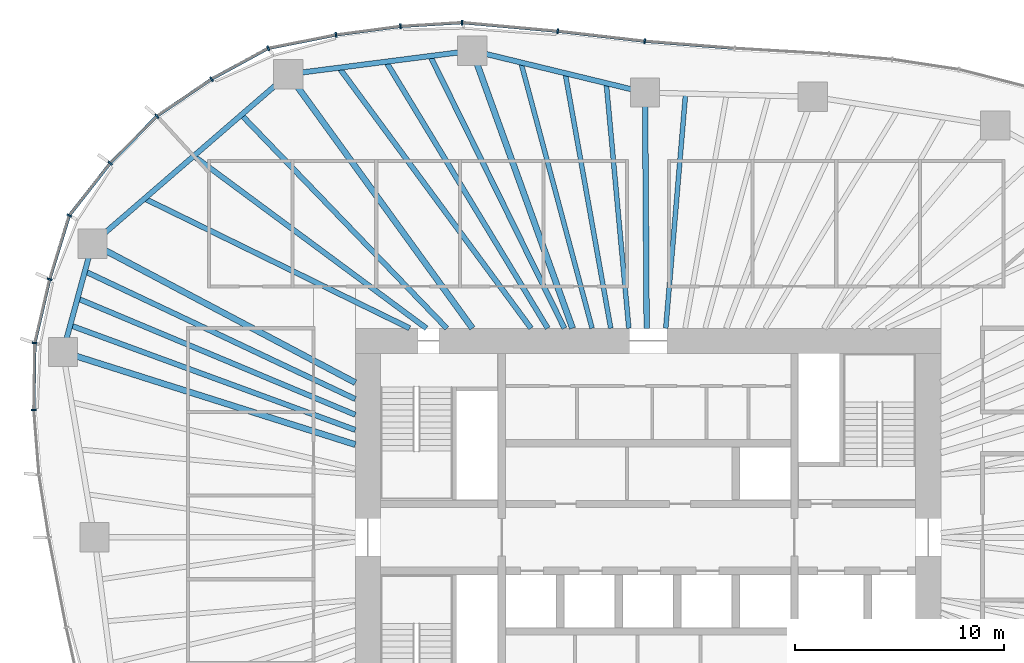
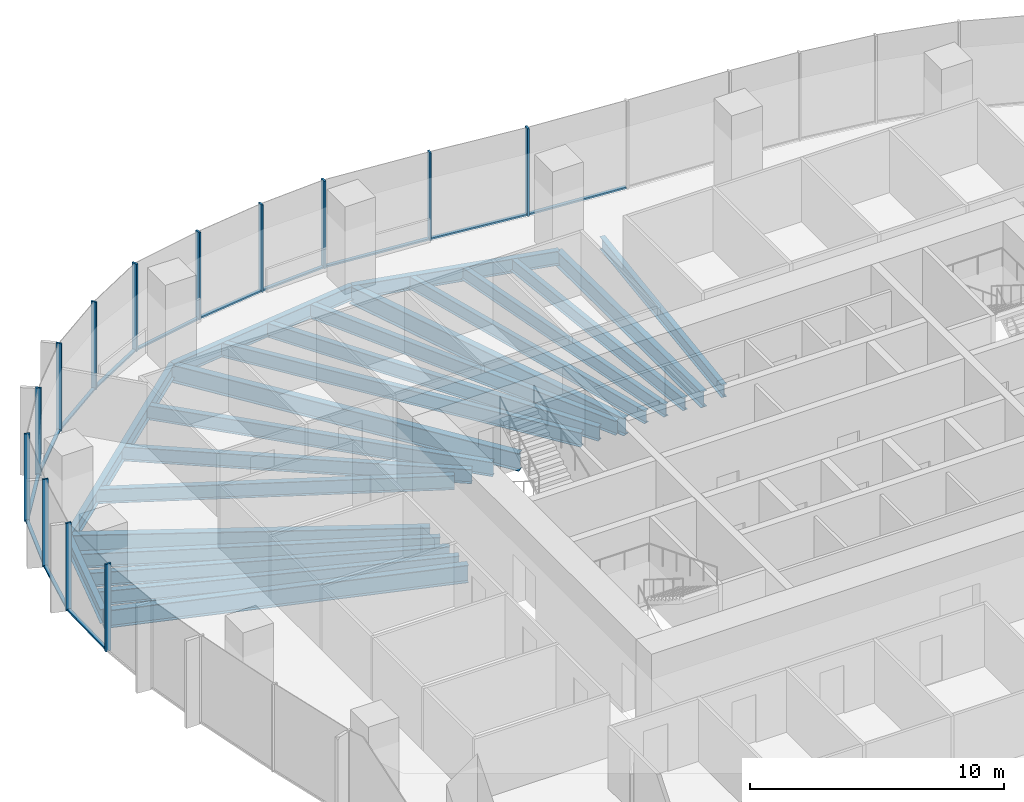
# One storey, part 5 of 18: 26 members, 22 beams, 6 elements without a shape of their own.
"""IFC4 building model written with IfcOpenShell, lengths in metres."""

from ifc_helpers import new_model, si_unit, direction, frame, origin, origin_2d, place, context, subcontext, project, spatial, rectangle, i_section, extrude, material, material_profile, profile_set, type_object, element, aggregate, save


model = new_model("IFC4")

# Units and contexts
model_context = context("Model", 3, precision=1e-05, world=origin(), true_north=direction((0.0, 1.0)))
body_context = subcontext(model_context, "Body", "Model", "MODEL_VIEW")
ifc_project = project(units=[si_unit("LENGTHUNIT", "METRE"), si_unit("AREAUNIT", "SQUARE_METRE"), si_unit("VOLUMEUNIT", "CUBIC_METRE"), si_unit("PLANEANGLEUNIT", "RADIAN"), si_unit("MASSUNIT", "GRAM", prefix="KILO")], contexts=[model_context])

# Site, building, storey
site_placement = place(None, origin())
site = spatial("IfcSite", under=ifc_project, at=site_placement, CompositionType="ELEMENT")
building_placement = place(site_placement, origin())
building = spatial("IfcBuilding", under=site, at=building_placement, Name="Ghaith Harvest Tower", CompositionType="ELEMENT")
storey_placement = place(building_placement, frame((0.0, 0.0, 168.0)))
storey = spatial("IfcBuildingStorey", under=building, at=storey_placement, Name="L36", CompositionType="ELEMENT", Elevation=168.0)

# Curtain wall, members
ifc_material_1 = material(Name="Black anodised aluminium and fritted glass", Category="aluminium")
curtain_wall_type = type_object("IfcCurtainWallType", Name="CW-L CURTAIN WALL", PredefinedType="NOTDEFINED", material=ifc_material_1)
curtain_wall_1_placement = place(storey_placement, origin())
curtain_wall_1 = element("IfcCurtainWall", 1, at=curtain_wall_1_placement, inside=storey, type_object=curtain_wall_type, Name="Curtain wall CW-L bay 06 L36", PredefinedType="NOTDEFINED")
ifc_material_2 = material(Name="Aluminium, black anodised", Category="aluminium")
ifc_material_profile_1 = material_profile(ifc_material_2, rectangle(XDim=0.080078125, YDim=0.239990234375, at=origin_2d()), Name="CW-L MULLION 80x240")
ifc_profile_set_1 = profile_set([ifc_material_profile_1], Name="Aluminium, black anodised")
member_type_1 = type_object("IfcMemberType", Name="CW-L MULLION 80x240", PredefinedType="MULLION", material=ifc_profile_set_1)
member_1_placement = place(storey_placement, frame((-0.162353515625, 23.729736328125, 0.0), z_axis=(0.0, 0.0, 1.0), x_axis=(-0.995388088953, 0.095929934691, 0.0)))
member_1 = element("IfcMember", 2, at=member_1_placement, type_object=member_type_1, Name="CW-L mullion 1 bay 06 L36", PredefinedType="MULLION", context=body_context, shape_type="SweptSolid", body=[
    extrude(rectangle(XDim=0.080078125, YDim=0.239990234375, at=origin_2d()), origin(), (0.0, 0.0, 1.0), 4.199951171875),
])
member_2_placement = place(storey_placement, frame((-4.322998046875, 24.207275390625, 0.0), z_axis=(0.0, 0.0, 1.0), x_axis=(-0.994830371571, 0.101550636625, 0.0)))
member_2 = element("IfcMember", 3, at=member_2_placement, type_object=member_type_1, Name="CW-L mullion 2 bay 06 L36", PredefinedType="MULLION", context=body_context, shape_type="SweptSolid", body=[
    extrude(rectangle(XDim=0.080078125, YDim=0.239990234375, at=origin_2d()), origin(), (0.0, 0.0, 1.0), 4.199951171875),
])

curtain_wall_2_placement = place(storey_placement, origin())
curtain_wall_2 = element("IfcCurtainWall", 4, at=curtain_wall_2_placement, inside=storey, type_object=curtain_wall_type, Name="Curtain wall CW-L bay 07 L36", PredefinedType="NOTDEFINED")
member_3_placement = place(storey_placement, frame((-8.892578125, 24.620849609375, 0.0), z_axis=(0.0, 0.0, 1.0), x_axis=(-0.999522209385, 0.030908784286, 0.0)))
member_3 = element("IfcMember", 5, at=member_3_placement, type_object=member_type_1, Name="CW-L mullion 1 bay 07 L36", PredefinedType="MULLION", context=body_context, shape_type="SweptSolid", body=[
    extrude(rectangle(XDim=0.080078125, YDim=0.239990234375, at=origin_2d()), origin(), (0.0, 0.0, 1.0), 4.199951171875),
])
member_4_placement = place(storey_placement, frame((-11.841064453125, 24.439697265625, 0.0), z_axis=(0.0, 0.0, 1.0), x_axis=(-0.995237520168, -0.097479630949, 0.0)))
member_4 = element("IfcMember", 6, at=member_4_placement, type_object=member_type_1, Name="CW-L mullion 2 bay 07 L36", PredefinedType="MULLION", context=body_context, shape_type="SweptSolid", body=[
    extrude(rectangle(XDim=0.080078125, YDim=0.239990234375, at=origin_2d()), origin(), (0.0, 0.0, 1.0), 4.199951171875),
])
member_5_placement = place(storey_placement, frame((-14.923828125, 24.030029296875, 0.0), z_axis=(0.0, 0.0, 1.0), x_axis=(-0.986494514812, -0.163794298578, 0.0)))
member_5 = element("IfcMember", 7, at=member_5_placement, type_object=member_type_1, Name="CW-L mullion 3 bay 07 L36", PredefinedType="MULLION", context=body_context, shape_type="SweptSolid", body=[
    extrude(rectangle(XDim=0.080078125, YDim=0.239990234375, at=origin_2d()), origin(), (0.0, 0.0, 1.0), 4.199951171875),
])

curtain_wall_3_placement = place(storey_placement, origin())
curtain_wall_3 = element("IfcCurtainWall", 8, at=curtain_wall_3_placement, inside=storey, type_object=curtain_wall_type, Name="Curtain wall CW-L bay 08 L36", PredefinedType="NOTDEFINED")
member_6_placement = place(storey_placement, frame((-18.165283203125, 23.3896484375, 0.0), z_axis=(0.0, 0.0, 1.0), x_axis=(-0.942103541202, -0.335322110298, 0.0)))
member_6 = element("IfcMember", 9, at=member_6_placement, type_object=member_type_1, Name="CW-L mullion 1 bay 08 L36", PredefinedType="MULLION", context=body_context, shape_type="SweptSolid", body=[
    extrude(rectangle(XDim=0.080078125, YDim=0.239990234375, at=origin_2d()), origin(), (0.0, 0.0, 1.0), 4.199951171875),
])
member_7_placement = place(storey_placement, frame((-20.87548828125, 21.91162109375, 0.0), z_axis=(0.0, 0.0, 1.0), x_axis=(-0.853515864435, -0.521066856707, 0.0)))
member_7 = element("IfcMember", 10, at=member_7_placement, type_object=member_type_1, Name="CW-L mullion 2 bay 08 L36", PredefinedType="MULLION", context=body_context, shape_type="SweptSolid", body=[
    extrude(rectangle(XDim=0.080078125, YDim=0.239990234375, at=origin_2d()), origin(), (0.0, 0.0, 1.0), 4.199951171875),
])
member_8_placement = place(storey_placement, frame((-23.489501953125, 20.13916015625, 0.0), z_axis=(0.0, 0.0, 1.0), x_axis=(-0.769682554376, -0.638426789451, 0.0)))
member_8 = element("IfcMember", 11, at=member_8_placement, type_object=member_type_1, Name="CW-L mullion 3 bay 08 L36", PredefinedType="MULLION", context=body_context, shape_type="SweptSolid", body=[
    extrude(rectangle(XDim=0.080078125, YDim=0.239990234375, at=origin_2d()), origin(), (0.0, 0.0, 1.0), 4.199951171875),
])

curtain_wall_4_placement = place(storey_placement, origin())
curtain_wall_4 = element("IfcCurtainWall", 12, at=curtain_wall_4_placement, inside=storey, type_object=curtain_wall_type, Name="Curtain wall CW-L bay 09 L36", PredefinedType="NOTDEFINED")
member_9_placement = place(storey_placement, frame((-25.718017578125, 17.894775390625, 0.0), z_axis=(0.0, 0.0, 1.0), x_axis=(-0.661903840688, -0.749588757708, 0.0)))
member_9 = element("IfcMember", 13, at=member_9_placement, type_object=member_type_1, Name="CW-L mullion 1 bay 09 L36", PredefinedType="MULLION", context=body_context, shape_type="SweptSolid", body=[
    extrude(rectangle(XDim=0.080078125, YDim=0.239990234375, at=origin_2d()), origin(), (0.0, 0.0, 1.0), 4.199951171875),
])
member_10_placement = place(storey_placement, frame((-27.67919921875, 15.39453125, 0.0), z_axis=(0.0, 0.0, 1.0), x_axis=(-0.462889784298, -0.886415843491, 0.0)))
member_10 = element("IfcMember", 14, at=member_10_placement, type_object=member_type_1, Name="CW-L mullion 2 bay 09 L36", PredefinedType="MULLION", context=body_context, shape_type="SweptSolid", body=[
    extrude(rectangle(XDim=0.080078125, YDim=0.239990234375, at=origin_2d()), origin(), (0.0, 0.0, 1.0), 4.199951171875),
])
member_11_placement = place(storey_placement, frame((-28.61669921875, 12.343994140625, 0.0), z_axis=(0.0, 0.0, 1.0), x_axis=(-0.260727312416, -0.965412486226, 0.0)))
member_11 = element("IfcMember", 15, at=member_11_placement, type_object=member_type_1, Name="CW-L mullion 3 bay 09 L36", PredefinedType="MULLION", context=body_context, shape_type="SweptSolid", body=[
    extrude(rectangle(XDim=0.080078125, YDim=0.239990234375, at=origin_2d()), origin(), (0.0, 0.0, 1.0), 4.199951171875),
])

curtain_wall_5_placement = place(storey_placement, origin())
curtain_wall_5 = element("IfcCurtainWall", 16, at=curtain_wall_5_placement, inside=storey, type_object=curtain_wall_type, Name="Curtain wall CW-L bay 10 L36", PredefinedType="NOTDEFINED")
member_12_placement = place(storey_placement, frame((-29.32666015625, 9.294189453125, 0.0), z_axis=(0.0, 0.0, 1.0), x_axis=(-0.120932140225, -0.99266077663, 0.0)))
member_12 = element("IfcMember", 17, at=member_12_placement, type_object=member_type_1, Name="CW-L mullion 1 bay 10 L36", PredefinedType="MULLION", context=body_context, shape_type="SweptSolid", body=[
    extrude(rectangle(XDim=0.080078125, YDim=0.239990234375, at=origin_2d()), origin(), (0.0, 0.0, 1.0), 4.199951171875),
])
member_13_placement = place(storey_placement, frame((-29.3779296875, 6.09619140625, 0.0), z_axis=(0.0, 0.0, 1.0), x_axis=(0.031027769448, -0.999518522851, 0.0)))
member_13 = element("IfcMember", 18, at=member_13_placement, type_object=member_type_1, Name="CW-L mullion 2 bay 10 L36", PredefinedType="MULLION", context=body_context, shape_type="SweptSolid", body=[
    extrude(rectangle(XDim=0.080078125, YDim=0.239990234375, at=origin_2d()), origin(), (0.0, 0.0, 1.0), 4.199951171875),
])

# Curtain wall, member
curtain_wall_6_placement = place(storey_placement, origin())
curtain_wall_6 = element("IfcCurtainWall", 19, at=curtain_wall_6_placement, inside=storey, type_object=curtain_wall_type, Name="Curtain wall CW-L bay 05 L36", PredefinedType="NOTDEFINED")
ifc_material_3 = material(Name="Aluminium, black anodised", Category="aluminium")
ifc_material_profile_2 = material_profile(ifc_material_3, rectangle(XDim=0.14990234375, YDim=0.080078125, at=origin_2d()), Name="CW-L TRANSOM 150x80")
ifc_profile_set_2 = profile_set([ifc_material_profile_2], Name="Aluminium, black anodised")
member_type_2 = type_object("IfcMemberType", Name="CW-L TRANSOM 150x80", PredefinedType="USERDEFINED", material=ifc_profile_set_2)
member_14_placement = place(storey_placement, frame((4.106689453125, 23.39404296875, 0.0400390625), z_axis=(-0.996923406046, 0.078381901463, 0.0), x_axis=(-0.078381901463, -0.996923406046, 0.0)))
member_14 = element("IfcMember", 20, at=member_14_placement, type_object=member_type_2, Name="CW-L transom 2 bay 05 L36", ObjectType="TRANSOM", PredefinedType="USERDEFINED", context=body_context, shape_type="SweptSolid", body=[
    extrude(rectangle(XDim=0.14990234375, YDim=0.080078125, at=origin_2d()), origin(), (0.0, 0.0, 1.0), 4.2421875),
])
aggregate(curtain_wall_6, [member_14])

# Member
member_15_placement = place(storey_placement, frame((-0.2021484375, 23.734130859375, 0.0400390625), z_axis=(-0.993474883942, 0.114051106861, 0.0), x_axis=(-0.114051106861, -0.993474883942, 0.0)))
member_15 = element("IfcMember", 21, at=member_15_placement, type_object=member_type_2, Name="CW-L transom 1 bay 06 L36", ObjectType="TRANSOM", PredefinedType="USERDEFINED", context=body_context, shape_type="SweptSolid", body=[
    extrude(rectangle(XDim=0.14990234375, YDim=0.080078125, at=origin_2d()), origin(), (0.0, 0.0, 1.0), 4.10791015625),
])

member_16_placement = place(storey_placement, frame((-4.36279296875, 24.210693359375, 0.0400390625), z_axis=(-0.995926431676, 0.090169521954, 0.0), x_axis=(-0.090169521954, -0.995926431676, 0.0)))
member_16 = element("IfcMember", 22, at=member_16_placement, type_object=member_type_2, Name="CW-L transom 2 bay 06 L36", ObjectType="TRANSOM", PredefinedType="USERDEFINED", context=body_context, shape_type="SweptSolid", body=[
    extrude(rectangle(XDim=0.14990234375, YDim=0.080078125, at=origin_2d()), origin(), (0.0, 0.0, 1.0), 4.508056640625),
])

aggregate(curtain_wall_1, [member_1, member_15, member_2, member_16])

member_17_placement = place(storey_placement, frame((-8.932373046875, 24.618408203125, 0.0400390625), z_axis=(-0.998117793577, -0.061325933705, 0.0), x_axis=(0.061325933705, -0.998117793577, 0.0)))
member_17 = element("IfcMember", 23, at=member_17_placement, type_object=member_type_2, Name="CW-L transom 1 bay 07 L36", ObjectType="TRANSOM", PredefinedType="USERDEFINED", context=body_context, shape_type="SweptSolid", body=[
    extrude(rectangle(XDim=0.14990234375, YDim=0.080078125, at=origin_2d()), origin(), (0.0, 0.0, 1.0), 2.874267578125),
])

member_18_placement = place(storey_placement, frame((-11.880859375, 24.434326171875, 0.0400390625), z_axis=(-0.991293929443, -0.131667556553, 0.0), x_axis=(0.131667556553, -0.991293929443, 0.0)))
member_18 = element("IfcMember", 24, at=member_18_placement, type_object=member_type_2, Name="CW-L transom 2 bay 07 L36", ObjectType="TRANSOM", PredefinedType="USERDEFINED", context=body_context, shape_type="SweptSolid", body=[
    extrude(rectangle(XDim=0.14990234375, YDim=0.080078125, at=origin_2d()), origin(), (0.0, 0.0, 1.0), 3.02978515625),
])

member_19_placement = place(storey_placement, frame((-14.963134765625, 24.022216796875, 0.0400390625), z_axis=(-0.98104391994, -0.19378551842, 0.0), x_axis=(0.19378551842, -0.98104391994, 0.0)))
member_19 = element("IfcMember", 25, at=member_19_placement, type_object=member_type_2, Name="CW-L transom 3 bay 07 L36", ObjectType="TRANSOM", PredefinedType="USERDEFINED", context=body_context, shape_type="SweptSolid", body=[
    extrude(rectangle(XDim=0.14990234375, YDim=0.080078125, at=origin_2d()), origin(), (0.0, 0.0, 1.0), 3.223876953125),
])

aggregate(curtain_wall_2, [member_3, member_17, member_4, member_18, member_5, member_19])

member_20_placement = place(storey_placement, frame((-18.200439453125, 23.37060546875, 0.0400390625), z_axis=(-0.877929702377, -0.478789554695, 0.0), x_axis=(0.478789554695, -0.877929702377, 0.0)))
member_20 = element("IfcMember", 26, at=member_20_placement, type_object=member_type_2, Name="CW-L transom 1 bay 08 L36", ObjectType="TRANSOM", PredefinedType="USERDEFINED", context=body_context, shape_type="SweptSolid", body=[
    extrude(rectangle(XDim=0.14990234375, YDim=0.080078125, at=origin_2d()), origin(), (0.0, 0.0, 1.0), 3.0068359375),
])

member_21_placement = place(storey_placement, frame((-20.908447265625, 21.88916015625, 0.0400390625), z_axis=(-0.827681025079, -0.561198824593, 0.0), x_axis=(0.561198824593, -0.827681025079, 0.0)))
member_21 = element("IfcMember", 27, at=member_21_placement, type_object=member_type_2, Name="CW-L transom 2 bay 08 L36", ObjectType="TRANSOM", PredefinedType="USERDEFINED", context=body_context, shape_type="SweptSolid", body=[
    extrude(rectangle(XDim=0.14990234375, YDim=0.080078125, at=origin_2d()), origin(), (0.0, 0.0, 1.0), 3.078369140625),
])

member_22_placement = place(storey_placement, frame((-23.517578125, 20.11083984375, 0.0400390625), z_axis=(-0.704647577514, -0.709557461735, 0.0), x_axis=(0.709557461735, -0.704647577514, 0.0)))
member_22 = element("IfcMember", 28, at=member_22_placement, type_object=member_type_2, Name="CW-L transom 3 bay 08 L36", ObjectType="TRANSOM", PredefinedType="USERDEFINED", context=body_context, shape_type="SweptSolid", body=[
    extrude(rectangle(XDim=0.14990234375, YDim=0.080078125, at=origin_2d()), origin(), (0.0, 0.0, 1.0), 3.0830078125),
])

aggregate(curtain_wall_3, [member_6, member_20, member_7, member_21, member_8, member_22])

member_23_placement = place(storey_placement, frame((-25.74267578125, 17.86328125, 0.0400390625), z_axis=(-0.617198298797, -0.786807638474, 0.0), x_axis=(0.786807638474, -0.617198298797, 0.0)))
member_23 = element("IfcMember", 29, at=member_23_placement, type_object=member_type_2, Name="CW-L transom 1 bay 09 L36", ObjectType="TRANSOM", PredefinedType="USERDEFINED", context=body_context, shape_type="SweptSolid", body=[
    extrude(rectangle(XDim=0.14990234375, YDim=0.080078125, at=origin_2d()), origin(), (0.0, 0.0, 1.0), 3.09765625),
])

member_24_placement = place(storey_placement, frame((-27.69091796875, 15.356201171875, 0.0400390625), z_axis=(-0.293777058804, -0.955873966441, 0.0), x_axis=(0.955873966441, -0.293777058804, 0.0)))
member_24 = element("IfcMember", 30, at=member_24_placement, type_object=member_type_2, Name="CW-L transom 2 bay 09 L36", ObjectType="TRANSOM", PredefinedType="USERDEFINED", context=body_context, shape_type="SweptSolid", body=[
    extrude(rectangle(XDim=0.14990234375, YDim=0.080078125, at=origin_2d()), origin(), (0.0, 0.0, 1.0), 3.111328125),
])

member_25_placement = place(storey_placement, frame((-28.6259765625, 12.304931640625, 0.0400390625), z_axis=(-0.226670598607, -0.973971477882, 0.0), x_axis=(0.973971477882, -0.226670598607, 0.0)))
member_25 = element("IfcMember", 31, at=member_25_placement, type_object=member_type_2, Name="CW-L transom 3 bay 09 L36", ObjectType="TRANSOM", PredefinedType="USERDEFINED", context=body_context, shape_type="SweptSolid", body=[
    extrude(rectangle(XDim=0.14990234375, YDim=0.080078125, at=origin_2d()), origin(), (0.0, 0.0, 1.0), 3.05126953125),
])

aggregate(curtain_wall_4, [member_9, member_23, member_10, member_24, member_11, member_25])

member_26_placement = place(storey_placement, frame((-29.327392578125, 9.254150390625, 0.0400390625), z_axis=(-0.015971652868, -0.999872445017, 0.0), x_axis=(0.999872445017, -0.015971652868, 0.0)))
member_26 = element("IfcMember", 32, at=member_26_placement, type_object=member_type_2, Name="CW-L transom 1 bay 10 L36", ObjectType="TRANSOM", PredefinedType="USERDEFINED", context=body_context, shape_type="SweptSolid", body=[
    extrude(rectangle(XDim=0.14990234375, YDim=0.080078125, at=origin_2d()), origin(), (0.0, 0.0, 1.0), 3.118408203125),
])

aggregate(curtain_wall_5, [member_12, member_26, member_13])

# Beams
ifc_material_4 = material(Name="Steel ASTM A992 Grade 50", Category="steel")
ifc_material_profile_3 = material_profile(ifc_material_4, i_section(OverallWidth=0.25390625, OverallDepth=0.68408203125, WebThickness=0.012451171875, FlangeThickness=0.018798828125, at=origin_2d()), Name="W690X140")
ifc_profile_set_3 = profile_set([ifc_material_profile_3], Name="Steel ASTM A992 Grade 50")
beam_type_1 = type_object("IfcBeamType", Name="E690-140 W690X140", PredefinedType="SPANDREL", material=ifc_profile_set_3)
beam_1_placement = place(storey_placement, frame((-0.14599609375, 21.27099609375, -0.511962890625), z_axis=(-0.971790293477, 0.235846614358, 0.0), x_axis=(-0.235846614358, -0.971790293477, 0.0)))
element("IfcBeam", 33, at=beam_1_placement, inside=storey, type_object=beam_type_1, Name="Edge beam E06 L36", PredefinedType="SPANDREL", context=body_context, shape_type="SweptSolid", body=[
    extrude(i_section(OverallWidth=0.25390625, OverallDepth=0.68408203125, WebThickness=0.012451171875, FlangeThickness=0.018798828125, at=origin_2d()), origin(), (0.0, 0.0, 1.0), 8.500732421875),
])
beam_2_placement = place(storey_placement, frame((-8.406982421875, 23.27587890625, -0.511962890625), z_axis=(-0.991904090065, -0.126989275577, 0.0), x_axis=(0.126989275577, -0.991904090065, 0.0)))
element("IfcBeam", 34, at=beam_2_placement, inside=storey, type_object=beam_type_1, Name="Edge beam E07 L36", PredefinedType="SPANDREL", context=body_context, shape_type="SweptSolid", body=[
    extrude(i_section(OverallWidth=0.25390625, OverallDepth=0.68408203125, WebThickness=0.012451171875, FlangeThickness=0.018798828125, at=origin_2d()), origin(), (0.0, 0.0, 1.0), 8.86669921875),
])
beam_3_placement = place(storey_placement, frame((-17.201904296875, 22.14990234375, -0.511962890625), z_axis=(-0.756392158274, -0.654118416574, 0.0), x_axis=(0.654118416574, -0.756392158274, 0.0)))
element("IfcBeam", 35, at=beam_3_placement, inside=storey, type_object=beam_type_1, Name="Edge beam E08 L36", PredefinedType="SPANDREL", context=body_context, shape_type="SweptSolid", body=[
    extrude(i_section(OverallWidth=0.25390625, OverallDepth=0.68408203125, WebThickness=0.012451171875, FlangeThickness=0.018798828125, at=origin_2d()), origin(), (0.0, 0.0, 1.0), 12.38916015625),
])
beam_4_placement = place(storey_placement, frame((-26.572998046875, 14.0458984375, -0.511962890625), z_axis=(-0.262724740433, -0.964870825947, 0.0), x_axis=(0.964870825947, -0.262724740433, 0.0)))
element("IfcBeam", 36, at=beam_4_placement, inside=storey, type_object=beam_type_1, Name="Edge beam E09 L36", PredefinedType="SPANDREL", context=body_context, shape_type="SweptSolid", body=[
    extrude(i_section(OverallWidth=0.25390625, OverallDepth=0.68408203125, WebThickness=0.012451171875, FlangeThickness=0.018798828125, at=origin_2d()), origin(), (0.0, 0.0, 1.0), 5.366455078125),
])
ifc_material_5 = material(Name="Steel ASTM A992 Grade 50", Category="steel")
ifc_material_profile_4 = material_profile(ifc_material_5, i_section(OverallWidth=0.26806640625, OverallDepth=0.77001953125, WebThickness=0.015625, FlangeThickness=0.025390625, at=origin_2d()), Name="W760X196")
ifc_profile_set_4 = profile_set([ifc_material_profile_4], Name="Steel ASTM A992 Grade 50")
beam_type_2 = type_object("IfcBeamType", Name="G760-196 W760X196", PredefinedType="BEAM", material=ifc_profile_set_4)
beam_5_placement = place(storey_placement, frame((-0.068359375, 10.0, -0.554931640625), z_axis=(-0.006888022705, 0.99997627729, 0.0), x_axis=(-0.99997627729, -0.006888022705, 0.0)))
element("IfcBeam", 37, at=beam_5_placement, inside=storey, type_object=beam_type_2, Name="Radial girder G06 L36", PredefinedType="BEAM", context=body_context, shape_type="SweptSolid", body=[
    extrude(i_section(OverallWidth=0.26806640625, OverallDepth=0.77001953125, WebThickness=0.015625, FlangeThickness=0.025390625, at=origin_2d()), origin(), (0.0, 0.0, 1.0), 11.271240234375),
])
ifc_material_6 = material(Name="Steel ASTM A992 Grade 50", Category="steel")
ifc_material_profile_5 = material_profile(ifc_material_6, i_section(OverallWidth=0.2939453125, OverallDepth=0.85107421875, WebThickness=0.01611328125, FlangeThickness=0.02685546875, at=origin_2d()), Name="W840X226")
ifc_profile_set_5 = profile_set([ifc_material_profile_5], Name="Steel ASTM A992 Grade 50")
beam_type_3 = type_object("IfcBeamType", Name="G840-226 W840X226", PredefinedType="BEAM", material=ifc_profile_set_5)
beam_6_placement = place(storey_placement, frame((-3.61181640625, 10.0, -0.595458984375), z_axis=(-0.339713316819, 0.940529033245, 0.0), x_axis=(-0.940529033245, -0.339713316819, 0.0)))
element("IfcBeam", 38, at=beam_6_placement, inside=storey, type_object=beam_type_3, Name="Radial girder G07 L36", PredefinedType="BEAM", context=body_context, shape_type="SweptSolid", body=[
    extrude(i_section(OverallWidth=0.2939453125, OverallDepth=0.85107421875, WebThickness=0.01611328125, FlangeThickness=0.02685546875, at=origin_2d()), origin(), (0.0, 0.0, 1.0), 14.115234375),
])
beam_7_placement = place(storey_placement, frame((-8.39990234375, 10.0, -0.595458984375), z_axis=(-0.586675813287, 0.809821887889, 0.0), x_axis=(-0.809821887889, -0.586675813287, 0.0)))
element("IfcBeam", 39, at=beam_7_placement, inside=storey, type_object=beam_type_3, Name="Radial girder G08 L36", PredefinedType="BEAM", context=body_context, shape_type="SweptSolid", body=[
    extrude(i_section(OverallWidth=0.2939453125, OverallDepth=0.85107421875, WebThickness=0.01611328125, FlangeThickness=0.02685546875, at=origin_2d()), origin(), (0.0, 0.0, 1.0), 15.003173828125),
])
beam_8_placement = place(storey_placement, frame((-14.0, 7.39990234375, -0.595458984375), z_axis=(-0.88408713845, 0.467322085533, 0.0), x_axis=(-0.467322085533, -0.88408713845, 0.0)))
element("IfcBeam", 40, at=beam_8_placement, inside=storey, type_object=beam_type_3, Name="Radial girder G09 L36", PredefinedType="BEAM", context=body_context, shape_type="SweptSolid", body=[
    extrude(i_section(OverallWidth=0.2939453125, OverallDepth=0.85107421875, WebThickness=0.01611328125, FlangeThickness=0.02685546875, at=origin_2d()), origin(), (0.0, 0.0, 1.0), 14.221435546875),
])
beam_9_placement = place(storey_placement, frame((-14.0, 4.43701171875, -0.595458984375), z_axis=(-0.953283605796, 0.302076756671, 0.0), x_axis=(-0.302076756671, -0.953283605796, 0.0)))
element("IfcBeam", 41, at=beam_9_placement, inside=storey, type_object=beam_type_3, Name="Radial girder G10 L36", PredefinedType="BEAM", context=body_context, shape_type="SweptSolid", body=[
    extrude(i_section(OverallWidth=0.2939453125, OverallDepth=0.85107421875, WebThickness=0.01611328125, FlangeThickness=0.02685546875, at=origin_2d()), origin(), (0.0, 0.0, 1.0), 14.668212890625),
])
ifc_material_7 = material(Name="Steel ASTM A992 Grade 50", Category="steel")
ifc_material_profile_6 = material_profile(ifc_material_7, i_section(OverallWidth=0.22900390625, OverallDepth=0.612060546875, WebThickness=0.011962890625, FlangeThickness=0.01953125, at=origin_2d()), Name="W610X125")
ifc_profile_set_6 = profile_set([ifc_material_profile_6], Name="Steel ASTM A992 Grade 50")
beam_type_4 = type_object("IfcBeamType", Name="J610-125 W610X125", PredefinedType="JOIST", material=ifc_profile_set_6)
beam_10_placement = place(storey_placement, frame((0.844970703125, 10.0, -0.47607421875), z_axis=(0.084213263804, 0.996447753873, 0.0), x_axis=(-0.996447753873, 0.084213263804, 0.0)))
element("IfcBeam", 42, at=beam_10_placement, inside=storey, type_object=beam_type_4, Name="Joist J05.3 L36", PredefinedType="JOIST", context=body_context, shape_type="SweptSolid", body=[
    extrude(i_section(OverallWidth=0.22900390625, OverallDepth=0.612060546875, WebThickness=0.011962890625, FlangeThickness=0.01953125, at=origin_2d()), origin(), (0.0, 0.0, 1.0), 11.262939453125),
])
beam_11_placement = place(storey_placement, frame((-0.92041015625, 10.0, -0.47607421875), z_axis=(-0.091659676302, 0.995790391468, 0.0), x_axis=(-0.995790391468, -0.091659676302, 0.0)))
element("IfcBeam", 43, at=beam_11_placement, inside=storey, type_object=beam_type_4, Name="Joist J06.1 L36", PredefinedType="JOIST", context=body_context, shape_type="SweptSolid", body=[
    extrude(i_section(OverallWidth=0.22900390625, OverallDepth=0.612060546875, WebThickness=0.011962890625, FlangeThickness=0.01953125, at=origin_2d()), origin(), (0.0, 0.0, 1.0), 11.770263671875),
])
beam_12_placement = place(storey_placement, frame((-1.785888671875, 10.0, -0.47607421875), z_axis=(-0.175794730188, 0.984426844838, 0.0), x_axis=(-0.984426844838, -0.175794730188, 0.0)))
element("IfcBeam", 44, at=beam_12_placement, inside=storey, type_object=beam_type_4, Name="Joist J06.2 L36", PredefinedType="JOIST", context=body_context, shape_type="SweptSolid", body=[
    extrude(i_section(OverallWidth=0.22900390625, OverallDepth=0.612060546875, WebThickness=0.011962890625, FlangeThickness=0.01953125, at=origin_2d()), origin(), (0.0, 0.0, 1.0), 12.390625),
])
beam_13_placement = place(storey_placement, frame((-2.677978515625, 10.0, -0.47607421875), z_axis=(-0.258692500157, 0.965959725021, 0.0), x_axis=(-0.965959725021, -0.258692500157, 0.0)))
element("IfcBeam", 45, at=beam_13_placement, inside=storey, type_object=beam_type_4, Name="Joist J06.3 L36", PredefinedType="JOIST", context=body_context, shape_type="SweptSolid", body=[
    extrude(i_section(OverallWidth=0.22900390625, OverallDepth=0.612060546875, WebThickness=0.011962890625, FlangeThickness=0.01953125, at=origin_2d()), origin(), (0.0, 0.0, 1.0), 13.15966796875),
])
ifc_material_8 = material(Name="Steel ASTM A992 Grade 50", Category="steel")
ifc_material_profile_7 = material_profile(ifc_material_8, i_section(OverallWidth=0.25390625, OverallDepth=0.68408203125, WebThickness=0.012451171875, FlangeThickness=0.018798828125, at=origin_2d()), Name="W690X140")
ifc_profile_set_7 = profile_set([ifc_material_profile_7], Name="Steel ASTM A992 Grade 50")
beam_type_5 = type_object("IfcBeamType", Name="J690-140 W690X140", PredefinedType="JOIST", material=ifc_profile_set_7)
beam_14_placement = place(storey_placement, frame((-4.0, 10.0, -0.511962890625), z_axis=(-0.442214455448, 0.896909346251, 0.0), x_axis=(-0.896909346251, -0.442214455448, 0.0)))
element("IfcBeam", 46, at=beam_14_placement, inside=storey, type_object=beam_type_5, Name="Joist J07.1 L36", PredefinedType="JOIST", context=body_context, shape_type="SweptSolid", body=[
    extrude(i_section(OverallWidth=0.25390625, OverallDepth=0.68408203125, WebThickness=0.012451171875, FlangeThickness=0.018798828125, at=origin_2d()), origin(), (0.0, 0.0, 1.0), 14.514892578125),
])
beam_15_placement = place(storey_placement, frame((-4.800048828125, 10.0, -0.511962890625), z_axis=(-0.51847337083, 0.855093774822, 0.0), x_axis=(-0.855093774822, -0.51847337083, 0.0)))
element("IfcBeam", 47, at=beam_15_placement, inside=storey, type_object=beam_type_5, Name="Joist J07.2 L36", PredefinedType="JOIST", context=body_context, shape_type="SweptSolid", body=[
    extrude(i_section(OverallWidth=0.25390625, OverallDepth=0.68408203125, WebThickness=0.012451171875, FlangeThickness=0.018798828125, at=origin_2d()), origin(), (0.0, 0.0, 1.0), 14.90869140625),
])
beam_16_placement = place(storey_placement, frame((-5.60009765625, 10.0, -0.511962890625), z_axis=(-0.592984827174, 0.805213632983, 0.0), x_axis=(-0.805213632983, -0.592984827174, 0.0)))
element("IfcBeam", 48, at=beam_16_placement, inside=storey, type_object=beam_type_5, Name="Joist J07.3 L36", PredefinedType="JOIST", context=body_context, shape_type="SweptSolid", body=[
    extrude(i_section(OverallWidth=0.25390625, OverallDepth=0.68408203125, WebThickness=0.012451171875, FlangeThickness=0.018798828125, at=origin_2d()), origin(), (0.0, 0.0, 1.0), 15.474609375),
])
beam_17_placement = place(storey_placement, frame((-9.626708984375, 10.0, -0.511962890625), z_axis=(-0.693535693616, 0.720422266231, 0.0), x_axis=(-0.720422266231, -0.693535693616, 0.0)))
element("IfcBeam", 49, at=beam_17_placement, inside=storey, type_object=beam_type_5, Name="Joist J08.1 L36", PredefinedType="JOIST", context=body_context, shape_type="SweptSolid", body=[
    extrude(i_section(OverallWidth=0.25390625, OverallDepth=0.68408203125, WebThickness=0.012451171875, FlangeThickness=0.018798828125, at=origin_2d()), origin(), (0.0, 0.0, 1.0), 14.16552734375),
])
beam_18_placement = place(storey_placement, frame((-10.60009765625, 10.0, -0.511962890625), z_axis=(-0.803663089107, 0.595084564752, 0.0), x_axis=(-0.595084564752, -0.803663089107, 0.0)))
element("IfcBeam", 50, at=beam_18_placement, inside=storey, type_object=beam_type_5, Name="Joist J08.2 L36", PredefinedType="JOIST", context=body_context, shape_type="SweptSolid", body=[
    extrude(i_section(OverallWidth=0.25390625, OverallDepth=0.68408203125, WebThickness=0.012451171875, FlangeThickness=0.018798828125, at=origin_2d()), origin(), (0.0, 0.0, 1.0), 13.843505859375),
])
beam_19_placement = place(storey_placement, frame((-11.39990234375, 10.0, -0.511962890625), z_axis=(-0.898274832354, 0.439434096946, 0.0), x_axis=(-0.439434096946, -0.898274832354, 0.0)))
element("IfcBeam", 51, at=beam_19_placement, inside=storey, type_object=beam_type_5, Name="Joist J08.3 L36", PredefinedType="JOIST", context=body_context, shape_type="SweptSolid", body=[
    extrude(i_section(OverallWidth=0.25390625, OverallDepth=0.68408203125, WebThickness=0.012451171875, FlangeThickness=0.018798828125, at=origin_2d()), origin(), (0.0, 0.0, 1.0), 14.114990234375),
])
beam_20_placement = place(storey_placement, frame((-14.0, 6.614990234375, -0.511962890625), z_axis=(-0.904153428261, 0.427207886354, 0.0), x_axis=(-0.427207886354, -0.904153428261, 0.0)))
element("IfcBeam", 52, at=beam_20_placement, inside=storey, type_object=beam_type_5, Name="Joist J09.1 L36", PredefinedType="JOIST", context=body_context, shape_type="SweptSolid", body=[
    extrude(i_section(OverallWidth=0.25390625, OverallDepth=0.68408203125, WebThickness=0.012451171875, FlangeThickness=0.018798828125, at=origin_2d()), origin(), (0.0, 0.0, 1.0), 14.303466796875),
])
beam_21_placement = place(storey_placement, frame((-14.0, 5.862548828125, -0.511962890625), z_axis=(-0.922385943167, 0.38626955853, 0.0), x_axis=(-0.38626955853, -0.922385943167, 0.0)))
element("IfcBeam", 53, at=beam_21_placement, inside=storey, type_object=beam_type_5, Name="Joist J09.2 L36", PredefinedType="JOIST", context=body_context, shape_type="SweptSolid", body=[
    extrude(i_section(OverallWidth=0.25390625, OverallDepth=0.68408203125, WebThickness=0.012451171875, FlangeThickness=0.018798828125, at=origin_2d()), origin(), (0.0, 0.0, 1.0), 14.404296875),
])
beam_22_placement = place(storey_placement, frame((-14.0, 5.137939453125, -0.511962890625), z_axis=(-0.93877541132, 0.344529718748, 0.0), x_axis=(-0.344529718748, -0.93877541132, 0.0)))
element("IfcBeam", 54, at=beam_22_placement, inside=storey, type_object=beam_type_5, Name="Joist J09.3 L36", PredefinedType="JOIST", context=body_context, shape_type="SweptSolid", body=[
    extrude(i_section(OverallWidth=0.25390625, OverallDepth=0.68408203125, WebThickness=0.012451171875, FlangeThickness=0.018798828125, at=origin_2d()), origin(), (0.0, 0.0, 1.0), 14.525390625),
])

save(model, "model.ifc")
